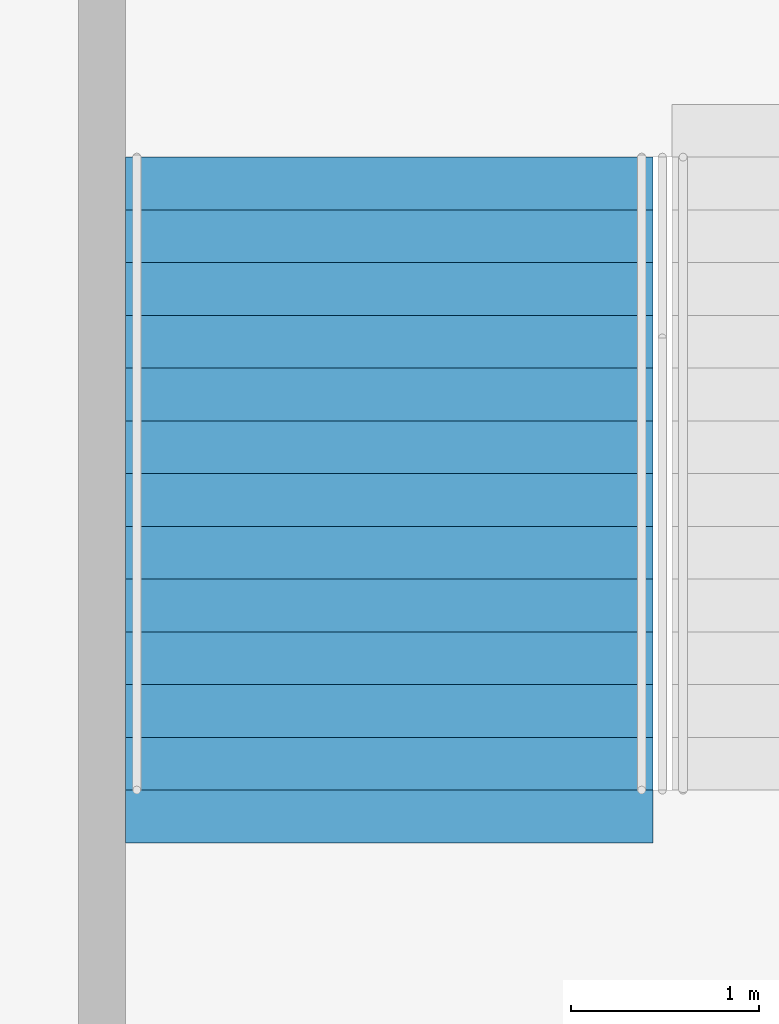
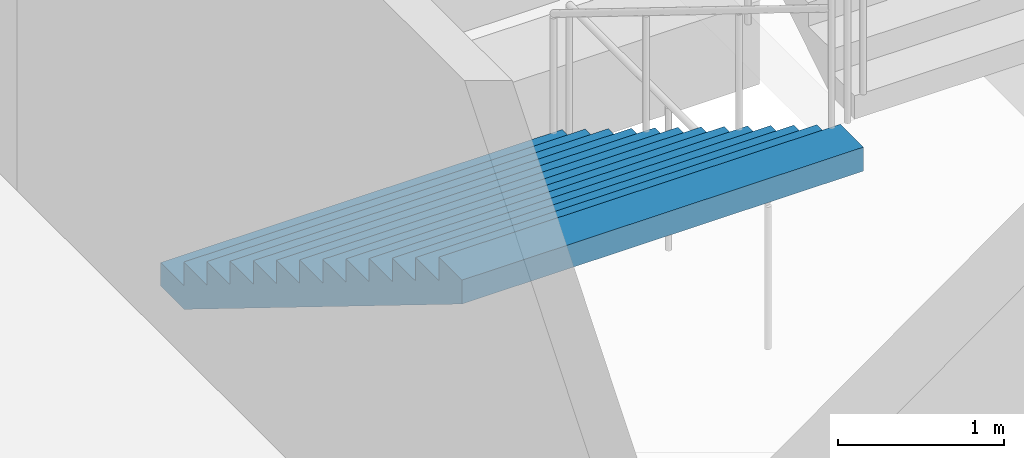
# One storey, part 68 of 175: 1 stair flight, 1 element without a shape of its own.
"""IFC4 building model written with IfcOpenShell, lengths in metres."""

from ifc_helpers import new_model, si_unit, direction, frame, origin, place, context, subcontext, project, spatial, faceted_brep, material, type_object, element, aggregate, save


model = new_model("IFC4")

# Units and contexts
model_context = context("Model", 3, precision=1e-05, world=origin(), true_north=direction((0.0, 1.0)))
body_context = subcontext(model_context, "Body", "Model", "MODEL_VIEW")
ifc_project = project(units=[si_unit("LENGTHUNIT", "METRE"), si_unit("AREAUNIT", "SQUARE_METRE"), si_unit("VOLUMEUNIT", "CUBIC_METRE"), si_unit("PLANEANGLEUNIT", "RADIAN"), si_unit("MASSUNIT", "GRAM", prefix="KILO")], contexts=[model_context])

# Site, building, storey
site_placement = place(None, origin())
site = spatial("IfcSite", under=ifc_project, at=site_placement, CompositionType="ELEMENT")
building_placement = place(site_placement, origin())
building = spatial("IfcBuilding", under=site, at=building_placement, Name="Ogive Plaza Stadium", CompositionType="ELEMENT")
storey_placement = place(building_placement, origin())
storey = spatial("IfcBuildingStorey", under=building, at=storey_placement, Name="L00", CompositionType="ELEMENT", Elevation=0.0)

# Stair, stair flight
ifc_material_1 = material(Name="Concrete C40/50", Category="concrete")
stair_type = type_object("IfcStairType", Name="Exit stair", PredefinedType="STRAIGHT_RUN_STAIR", material=ifc_material_1)
stair_placement = place(storey_placement, origin())
stair = element("IfcStair", 1, at=stair_placement, inside=storey, type_object=stair_type, Name="Exit stair ST12A L00 to L01", PredefinedType="STRAIGHT_RUN_STAIR")
ifc_material_2 = material(Name="Concrete C40/50", Category="concrete")
stair_flight_type = type_object("IfcStairFlightType", Name="Exit stair flight", PredefinedType="STRAIGHT", material=ifc_material_2)
stair_flight_placement = place(storey_placement, frame((29.574951171875, -94.85009765625, 0.0), z_axis=(0.0, 0.0, 1.0), x_axis=(0.0, -1.0, 0.0)))
stair_flight = element("IfcStairFlight", 2, at=stair_flight_placement, type_object=stair_flight_type, Name="ST12A flight 1", NumberOfRisers=13, NumberOfTreads=12, PredefinedType="STRAIGHT", RiserHeight=0.173076923, TreadLength=0.28, context=body_context, shape_type="Brep", body=[
    faceted_brep([(0.28515625, -1.39990234375, 0.0), (3.639892578125, -1.39990234375, 2.07373046875), (3.639892578125, -1.39990234375, 2.25), (3.360107421875, -1.39990234375, 2.25), (3.360107421875, -1.39990234375, 2.076904296875), (3.080078125, -1.39990234375, 2.076904296875), (3.080078125, -1.39990234375, 1.90380859375), (2.800048828125, -1.39990234375, 1.90380859375), (2.800048828125, -1.39990234375, 1.730712890625), (2.52001953125, -1.39990234375, 1.730712890625), (2.52001953125, -1.39990234375, 1.5576171875), (2.239990234375, -1.39990234375, 1.5576171875), (2.239990234375, -1.39990234375, 1.384521484375), (1.9599609375, -1.39990234375, 1.384521484375), (1.9599609375, -1.39990234375, 1.21142578125), (1.679931640625, -1.39990234375, 1.21142578125), (1.679931640625, -1.39990234375, 1.03857421875), (1.39990234375, -1.39990234375, 1.03857421875), (1.39990234375, -1.39990234375, 0.865478515625), (1.1201171875, -1.39990234375, 0.865478515625), (1.1201171875, -1.39990234375, 0.6923828125), (0.840087890625, -1.39990234375, 0.6923828125), (0.840087890625, -1.39990234375, 0.519287109375), (0.56005859375, -1.39990234375, 0.519287109375), (0.56005859375, -1.39990234375, 0.34619140625), (0.280029296875, -1.39990234375, 0.34619140625), (0.280029296875, -1.39990234375, 0.173095703125), (0.0, -1.39990234375, 0.173095703125), (0.0, -1.39990234375, 0.0), (0.0, 1.39990234375, 0.0), (0.0, 1.39990234375, 0.173095703125), (0.280029296875, 1.39990234375, 0.173095703125), (0.280029296875, 1.39990234375, 0.34619140625), (0.56005859375, 1.39990234375, 0.34619140625), (0.56005859375, 1.39990234375, 0.519287109375), (0.840087890625, 1.39990234375, 0.519287109375), (0.840087890625, 1.39990234375, 0.6923828125), (1.1201171875, 1.39990234375, 0.6923828125), (1.1201171875, 1.39990234375, 0.865478515625), (1.39990234375, 1.39990234375, 0.865478515625), (1.39990234375, 1.39990234375, 1.03857421875), (1.679931640625, 1.39990234375, 1.03857421875), (1.679931640625, 1.39990234375, 1.21142578125), (1.9599609375, 1.39990234375, 1.21142578125), (1.9599609375, 1.39990234375, 1.384521484375), (2.239990234375, 1.39990234375, 1.384521484375), (2.239990234375, 1.39990234375, 1.5576171875), (2.52001953125, 1.39990234375, 1.5576171875), (2.52001953125, 1.39990234375, 1.730712890625), (2.800048828125, 1.39990234375, 1.730712890625), (2.800048828125, 1.39990234375, 1.90380859375), (3.080078125, 1.39990234375, 1.90380859375), (3.080078125, 1.39990234375, 2.076904296875), (3.360107421875, 1.39990234375, 2.076904296875), (3.360107421875, 1.39990234375, 2.25), (3.639892578125, 1.39990234375, 2.25), (3.639892578125, 1.39990234375, 2.07373046875), (0.28515625, 1.39990234375, 0.0), (0.28515625, -1.0888671875, 0.0), (3.639892578125, -1.0888671875, 2.07373046875), (0.28515625, -0.77783203125, 0.0), (3.639892578125, -0.77783203125, 2.07373046875), (0.28515625, -0.466796875, 0.0), (3.639892578125, -0.466796875, 2.07373046875), (0.28515625, -0.155517578125, 0.0), (3.639892578125, -0.155517578125, 2.07373046875), (0.28515625, 0.155517578125, 0.0), (3.639892578125, 0.155517578125, 2.07373046875), (0.28515625, 0.466796875, 0.0), (3.639892578125, 0.466796875, 2.07373046875), (0.28515625, 0.77783203125, 0.0), (3.639892578125, 0.77783203125, 2.07373046875), (0.28515625, 1.0888671875, 0.0), (3.639892578125, 1.0888671875, 2.07373046875), (3.639892578125, -1.0888671875, 2.25), (3.639892578125, -0.77783203125, 2.25), (3.639892578125, -0.466796875, 2.25), (3.639892578125, -0.155517578125, 2.25), (3.639892578125, 0.155517578125, 2.25), (3.639892578125, 0.466796875, 2.25), (3.639892578125, 0.77783203125, 2.25), (3.639892578125, 1.0888671875, 2.25), (3.360107421875, -1.0888671875, 2.25), (3.360107421875, -0.77783203125, 2.25), (3.360107421875, -0.466796875, 2.25), (3.360107421875, -0.155517578125, 2.25), (3.360107421875, 0.155517578125, 2.25), (3.360107421875, 0.466796875, 2.25), (3.360107421875, 0.77783203125, 2.25), (3.360107421875, 1.0888671875, 2.25), (3.360107421875, -1.0888671875, 2.076904296875), (3.360107421875, -0.77783203125, 2.076904296875), (3.360107421875, -0.466796875, 2.076904296875), (3.360107421875, -0.155517578125, 2.076904296875), (3.360107421875, 0.155517578125, 2.076904296875), (3.360107421875, 0.466796875, 2.076904296875), (3.360107421875, 0.77783203125, 2.076904296875), (3.360107421875, 1.0888671875, 2.076904296875), (3.080078125, -1.0888671875, 2.076904296875), (3.080078125, -0.77783203125, 2.076904296875), (3.080078125, -0.466796875, 2.076904296875), (3.080078125, -0.155517578125, 2.076904296875), (3.080078125, 0.155517578125, 2.076904296875), (3.080078125, 0.466796875, 2.076904296875), (3.080078125, 0.77783203125, 2.076904296875), (3.080078125, 1.0888671875, 2.076904296875), (3.080078125, -1.0888671875, 1.90380859375), (3.080078125, -0.77783203125, 1.90380859375), (3.080078125, -0.466796875, 1.90380859375), (3.080078125, -0.155517578125, 1.90380859375), (3.080078125, 0.155517578125, 1.90380859375), (3.080078125, 0.466796875, 1.90380859375), (3.080078125, 0.77783203125, 1.90380859375), (3.080078125, 1.0888671875, 1.90380859375), (2.800048828125, -1.0888671875, 1.90380859375), (2.800048828125, -0.77783203125, 1.90380859375), (2.800048828125, -0.466796875, 1.90380859375), (2.800048828125, -0.155517578125, 1.90380859375), (2.800048828125, 0.155517578125, 1.90380859375), (2.800048828125, 0.466796875, 1.90380859375), (2.800048828125, 0.77783203125, 1.90380859375), (2.800048828125, 1.0888671875, 1.90380859375), (2.800048828125, -1.0888671875, 1.730712890625), (2.800048828125, -0.77783203125, 1.730712890625), (2.800048828125, -0.466796875, 1.730712890625), (2.800048828125, -0.155517578125, 1.730712890625), (2.800048828125, 0.155517578125, 1.730712890625), (2.800048828125, 0.466796875, 1.730712890625), (2.800048828125, 0.77783203125, 1.730712890625), (2.800048828125, 1.0888671875, 1.730712890625), (2.52001953125, -1.0888671875, 1.730712890625), (2.52001953125, -0.77783203125, 1.730712890625), (2.52001953125, -0.466796875, 1.730712890625), (2.52001953125, -0.155517578125, 1.730712890625), (2.52001953125, 0.155517578125, 1.730712890625), (2.52001953125, 0.466796875, 1.730712890625), (2.52001953125, 0.77783203125, 1.730712890625), (2.52001953125, 1.0888671875, 1.730712890625), (2.52001953125, -1.0888671875, 1.5576171875), (2.52001953125, -0.77783203125, 1.5576171875), (2.52001953125, -0.466796875, 1.5576171875), (2.52001953125, -0.155517578125, 1.5576171875), (2.52001953125, 0.155517578125, 1.5576171875), (2.52001953125, 0.466796875, 1.5576171875), (2.52001953125, 0.77783203125, 1.5576171875), (2.52001953125, 1.0888671875, 1.5576171875), (2.239990234375, -1.0888671875, 1.5576171875), (2.239990234375, -0.77783203125, 1.5576171875), (2.239990234375, -0.466796875, 1.5576171875), (2.239990234375, -0.155517578125, 1.5576171875), (2.239990234375, 0.155517578125, 1.5576171875), (2.239990234375, 0.466796875, 1.5576171875), (2.239990234375, 0.77783203125, 1.5576171875), (2.239990234375, 1.0888671875, 1.5576171875), (2.239990234375, -1.0888671875, 1.384521484375), (2.239990234375, -0.77783203125, 1.384521484375), (2.239990234375, -0.466796875, 1.384521484375), (2.239990234375, -0.155517578125, 1.384521484375), (2.239990234375, 0.155517578125, 1.384521484375), (2.239990234375, 0.466796875, 1.384521484375), (2.239990234375, 0.77783203125, 1.384521484375), (2.239990234375, 1.0888671875, 1.384521484375), (1.9599609375, -1.0888671875, 1.384521484375), (1.9599609375, -0.77783203125, 1.384521484375), (1.9599609375, -0.466796875, 1.384521484375), (1.9599609375, -0.155517578125, 1.384521484375), (1.9599609375, 0.155517578125, 1.384521484375), (1.9599609375, 0.466796875, 1.384521484375), (1.9599609375, 0.77783203125, 1.384521484375), (1.9599609375, 1.0888671875, 1.384521484375), (1.9599609375, -1.0888671875, 1.21142578125), (1.9599609375, -0.77783203125, 1.21142578125), (1.9599609375, -0.466796875, 1.21142578125), (1.9599609375, -0.155517578125, 1.21142578125), (1.9599609375, 0.155517578125, 1.21142578125), (1.9599609375, 0.466796875, 1.21142578125), (1.9599609375, 0.77783203125, 1.21142578125), (1.9599609375, 1.0888671875, 1.21142578125), (1.679931640625, -1.0888671875, 1.21142578125), (1.679931640625, -0.77783203125, 1.21142578125), (1.679931640625, -0.466796875, 1.21142578125), (1.679931640625, -0.155517578125, 1.21142578125), (1.679931640625, 0.155517578125, 1.21142578125), (1.679931640625, 0.466796875, 1.21142578125), (1.679931640625, 0.77783203125, 1.21142578125), (1.679931640625, 1.0888671875, 1.21142578125), (1.679931640625, -1.0888671875, 1.03857421875), (1.679931640625, -0.77783203125, 1.03857421875), (1.679931640625, -0.466796875, 1.03857421875), (1.679931640625, -0.155517578125, 1.03857421875), (1.679931640625, 0.155517578125, 1.03857421875), (1.679931640625, 0.466796875, 1.03857421875), (1.679931640625, 0.77783203125, 1.03857421875), (1.679931640625, 1.0888671875, 1.03857421875), (1.39990234375, -1.0888671875, 1.03857421875), (1.39990234375, -0.77783203125, 1.03857421875), (1.39990234375, -0.466796875, 1.03857421875), (1.39990234375, -0.155517578125, 1.03857421875), (1.39990234375, 0.155517578125, 1.03857421875), (1.39990234375, 0.466796875, 1.03857421875), (1.39990234375, 0.77783203125, 1.03857421875), (1.39990234375, 1.0888671875, 1.03857421875), (1.39990234375, -1.0888671875, 0.865478515625), (1.39990234375, -0.77783203125, 0.865478515625), (1.39990234375, -0.466796875, 0.865478515625), (1.39990234375, -0.155517578125, 0.865478515625), (1.39990234375, 0.155517578125, 0.865478515625), (1.39990234375, 0.466796875, 0.865478515625), (1.39990234375, 0.77783203125, 0.865478515625), (1.39990234375, 1.0888671875, 0.865478515625), (1.1201171875, -1.0888671875, 0.865478515625), (1.1201171875, -0.77783203125, 0.865478515625), (1.1201171875, -0.466796875, 0.865478515625), (1.1201171875, -0.155517578125, 0.865478515625), (1.1201171875, 0.155517578125, 0.865478515625), (1.1201171875, 0.466796875, 0.865478515625), (1.1201171875, 0.77783203125, 0.865478515625), (1.1201171875, 1.0888671875, 0.865478515625), (1.1201171875, -1.0888671875, 0.6923828125), (1.1201171875, -0.77783203125, 0.6923828125), (1.1201171875, -0.466796875, 0.6923828125), (1.1201171875, -0.155517578125, 0.6923828125), (1.1201171875, 0.155517578125, 0.6923828125), (1.1201171875, 0.466796875, 0.6923828125), (1.1201171875, 0.77783203125, 0.6923828125), (1.1201171875, 1.0888671875, 0.6923828125), (0.840087890625, -1.0888671875, 0.6923828125), (0.840087890625, -0.77783203125, 0.6923828125), (0.840087890625, -0.466796875, 0.6923828125), (0.840087890625, -0.155517578125, 0.6923828125), (0.840087890625, 0.155517578125, 0.6923828125), (0.840087890625, 0.466796875, 0.6923828125), (0.840087890625, 0.77783203125, 0.6923828125), (0.840087890625, 1.0888671875, 0.6923828125), (0.840087890625, -1.0888671875, 0.519287109375), (0.840087890625, -0.77783203125, 0.519287109375), (0.840087890625, -0.466796875, 0.519287109375), (0.840087890625, -0.155517578125, 0.519287109375), (0.840087890625, 0.155517578125, 0.519287109375), (0.840087890625, 0.466796875, 0.519287109375), (0.840087890625, 0.77783203125, 0.519287109375), (0.840087890625, 1.0888671875, 0.519287109375), (0.56005859375, -1.0888671875, 0.519287109375), (0.56005859375, -0.77783203125, 0.519287109375), (0.56005859375, -0.466796875, 0.519287109375), (0.56005859375, -0.155517578125, 0.519287109375), (0.56005859375, 0.155517578125, 0.519287109375), (0.56005859375, 0.466796875, 0.519287109375), (0.56005859375, 0.77783203125, 0.519287109375), (0.56005859375, 1.0888671875, 0.519287109375), (0.56005859375, -1.0888671875, 0.34619140625), (0.56005859375, -0.77783203125, 0.34619140625), (0.56005859375, -0.466796875, 0.34619140625), (0.56005859375, -0.155517578125, 0.34619140625), (0.56005859375, 0.155517578125, 0.34619140625), (0.56005859375, 0.466796875, 0.34619140625), (0.56005859375, 0.77783203125, 0.34619140625), (0.56005859375, 1.0888671875, 0.34619140625), (0.280029296875, -1.0888671875, 0.34619140625), (0.280029296875, -0.77783203125, 0.34619140625), (0.280029296875, -0.466796875, 0.34619140625), (0.280029296875, -0.155517578125, 0.34619140625), (0.280029296875, 0.155517578125, 0.34619140625), (0.280029296875, 0.466796875, 0.34619140625), (0.280029296875, 0.77783203125, 0.34619140625), (0.280029296875, 1.0888671875, 0.34619140625), (0.280029296875, -1.0888671875, 0.173095703125), (0.280029296875, -0.77783203125, 0.173095703125), (0.280029296875, -0.466796875, 0.173095703125), (0.280029296875, -0.155517578125, 0.173095703125), (0.280029296875, 0.155517578125, 0.173095703125), (0.280029296875, 0.466796875, 0.173095703125), (0.280029296875, 0.77783203125, 0.173095703125), (0.280029296875, 1.0888671875, 0.173095703125), (0.0, -1.0888671875, 0.173095703125), (0.0, -0.77783203125, 0.173095703125), (0.0, -0.466796875, 0.173095703125), (0.0, -0.155517578125, 0.173095703125), (0.0, 0.155517578125, 0.173095703125), (0.0, 0.466796875, 0.173095703125), (0.0, 0.77783203125, 0.173095703125), (0.0, 1.0888671875, 0.173095703125), (0.0, -1.0888671875, 0.0), (0.0, -0.77783203125, 0.0), (0.0, -0.466796875, 0.0), (0.0, -0.155517578125, 0.0), (0.0, 0.155517578125, 0.0), (0.0, 0.466796875, 0.0), (0.0, 0.77783203125, 0.0), (0.0, 1.0888671875, 0.0)], [[[0, 1, 2, 3, 4, 5, 6, 7, 8, 9, 10, 11, 12, 13, 14, 15, 16, 17, 18, 19, 20, 21, 22, 23, 24, 25, 26, 27, 28]], [[29, 30, 31, 32, 33, 34, 35, 36, 37, 38, 39, 40, 41, 42, 43, 44, 45, 46, 47, 48, 49, 50, 51, 52, 53, 54, 55, 56, 57]], [[0, 58, 59, 1]], [[58, 60, 61, 59]], [[60, 62, 63, 61]], [[62, 64, 65, 63]], [[64, 66, 67, 65]], [[66, 68, 69, 67]], [[68, 70, 71, 69]], [[70, 72, 73, 71]], [[72, 57, 56, 73]], [[1, 59, 74, 2]], [[59, 61, 75, 74]], [[61, 63, 76, 75]], [[63, 65, 77, 76]], [[65, 67, 78, 77]], [[67, 69, 79, 78]], [[69, 71, 80, 79]], [[71, 73, 81, 80]], [[73, 56, 55, 81]], [[2, 74, 82, 3]], [[74, 75, 83, 82]], [[75, 76, 84, 83]], [[76, 77, 85, 84]], [[77, 78, 86, 85]], [[78, 79, 87, 86]], [[79, 80, 88, 87]], [[80, 81, 89, 88]], [[81, 55, 54, 89]], [[3, 82, 90, 4]], [[82, 83, 91, 90]], [[83, 84, 92, 91]], [[84, 85, 93, 92]], [[85, 86, 94, 93]], [[86, 87, 95, 94]], [[87, 88, 96, 95]], [[88, 89, 97, 96]], [[89, 54, 53, 97]], [[4, 90, 98, 5]], [[90, 91, 99, 98]], [[91, 92, 100, 99]], [[92, 93, 101, 100]], [[93, 94, 102, 101]], [[94, 95, 103, 102]], [[95, 96, 104, 103]], [[96, 97, 105, 104]], [[97, 53, 52, 105]], [[5, 98, 106, 6]], [[98, 99, 107, 106]], [[99, 100, 108, 107]], [[100, 101, 109, 108]], [[101, 102, 110, 109]], [[102, 103, 111, 110]], [[103, 104, 112, 111]], [[104, 105, 113, 112]], [[105, 52, 51, 113]], [[6, 106, 114, 7]], [[106, 107, 115, 114]], [[107, 108, 116, 115]], [[108, 109, 117, 116]], [[109, 110, 118, 117]], [[110, 111, 119, 118]], [[111, 112, 120, 119]], [[112, 113, 121, 120]], [[113, 51, 50, 121]], [[7, 114, 122, 8]], [[114, 115, 123, 122]], [[115, 116, 124, 123]], [[116, 117, 125, 124]], [[117, 118, 126, 125]], [[118, 119, 127, 126]], [[119, 120, 128, 127]], [[120, 121, 129, 128]], [[121, 50, 49, 129]], [[8, 122, 130, 9]], [[122, 123, 131, 130]], [[123, 124, 132, 131]], [[124, 125, 133, 132]], [[125, 126, 134, 133]], [[126, 127, 135, 134]], [[127, 128, 136, 135]], [[128, 129, 137, 136]], [[129, 49, 48, 137]], [[9, 130, 138, 10]], [[130, 131, 139, 138]], [[131, 132, 140, 139]], [[132, 133, 141, 140]], [[133, 134, 142, 141]], [[134, 135, 143, 142]], [[135, 136, 144, 143]], [[136, 137, 145, 144]], [[137, 48, 47, 145]], [[10, 138, 146, 11]], [[138, 139, 147, 146]], [[139, 140, 148, 147]], [[140, 141, 149, 148]], [[141, 142, 150, 149]], [[142, 143, 151, 150]], [[143, 144, 152, 151]], [[144, 145, 153, 152]], [[145, 47, 46, 153]], [[11, 146, 154, 12]], [[146, 147, 155, 154]], [[147, 148, 156, 155]], [[148, 149, 157, 156]], [[149, 150, 158, 157]], [[150, 151, 159, 158]], [[151, 152, 160, 159]], [[152, 153, 161, 160]], [[153, 46, 45, 161]], [[12, 154, 162, 13]], [[154, 155, 163, 162]], [[155, 156, 164, 163]], [[156, 157, 165, 164]], [[157, 158, 166, 165]], [[158, 159, 167, 166]], [[159, 160, 168, 167]], [[160, 161, 169, 168]], [[161, 45, 44, 169]], [[13, 162, 170, 14]], [[162, 163, 171, 170]], [[163, 164, 172, 171]], [[164, 165, 173, 172]], [[165, 166, 174, 173]], [[166, 167, 175, 174]], [[167, 168, 176, 175]], [[168, 169, 177, 176]], [[169, 44, 43, 177]], [[14, 170, 178, 15]], [[170, 171, 179, 178]], [[171, 172, 180, 179]], [[172, 173, 181, 180]], [[173, 174, 182, 181]], [[174, 175, 183, 182]], [[175, 176, 184, 183]], [[176, 177, 185, 184]], [[177, 43, 42, 185]], [[15, 178, 186, 16]], [[178, 179, 187, 186]], [[179, 180, 188, 187]], [[180, 181, 189, 188]], [[181, 182, 190, 189]], [[182, 183, 191, 190]], [[183, 184, 192, 191]], [[184, 185, 193, 192]], [[185, 42, 41, 193]], [[16, 186, 194, 17]], [[186, 187, 195, 194]], [[187, 188, 196, 195]], [[188, 189, 197, 196]], [[189, 190, 198, 197]], [[190, 191, 199, 198]], [[191, 192, 200, 199]], [[192, 193, 201, 200]], [[193, 41, 40, 201]], [[17, 194, 202, 18]], [[194, 195, 203, 202]], [[195, 196, 204, 203]], [[196, 197, 205, 204]], [[197, 198, 206, 205]], [[198, 199, 207, 206]], [[199, 200, 208, 207]], [[200, 201, 209, 208]], [[201, 40, 39, 209]], [[18, 202, 210, 19]], [[202, 203, 211, 210]], [[203, 204, 212, 211]], [[204, 205, 213, 212]], [[205, 206, 214, 213]], [[206, 207, 215, 214]], [[207, 208, 216, 215]], [[208, 209, 217, 216]], [[209, 39, 38, 217]], [[19, 210, 218, 20]], [[210, 211, 219, 218]], [[211, 212, 220, 219]], [[212, 213, 221, 220]], [[213, 214, 222, 221]], [[214, 215, 223, 222]], [[215, 216, 224, 223]], [[216, 217, 225, 224]], [[217, 38, 37, 225]], [[20, 218, 226, 21]], [[218, 219, 227, 226]], [[219, 220, 228, 227]], [[220, 221, 229, 228]], [[221, 222, 230, 229]], [[222, 223, 231, 230]], [[223, 224, 232, 231]], [[224, 225, 233, 232]], [[225, 37, 36, 233]], [[21, 226, 234, 22]], [[226, 227, 235, 234]], [[227, 228, 236, 235]], [[228, 229, 237, 236]], [[229, 230, 238, 237]], [[230, 231, 239, 238]], [[231, 232, 240, 239]], [[232, 233, 241, 240]], [[233, 36, 35, 241]], [[22, 234, 242, 23]], [[234, 235, 243, 242]], [[235, 236, 244, 243]], [[236, 237, 245, 244]], [[237, 238, 246, 245]], [[238, 239, 247, 246]], [[239, 240, 248, 247]], [[240, 241, 249, 248]], [[241, 35, 34, 249]], [[23, 242, 250, 24]], [[242, 243, 251, 250]], [[243, 244, 252, 251]], [[244, 245, 253, 252]], [[245, 246, 254, 253]], [[246, 247, 255, 254]], [[247, 248, 256, 255]], [[248, 249, 257, 256]], [[249, 34, 33, 257]], [[24, 250, 258, 25]], [[250, 251, 259, 258]], [[251, 252, 260, 259]], [[252, 253, 261, 260]], [[253, 254, 262, 261]], [[254, 255, 263, 262]], [[255, 256, 264, 263]], [[256, 257, 265, 264]], [[257, 33, 32, 265]], [[25, 258, 266, 26]], [[258, 259, 267, 266]], [[259, 260, 268, 267]], [[260, 261, 269, 268]], [[261, 262, 270, 269]], [[262, 263, 271, 270]], [[263, 264, 272, 271]], [[264, 265, 273, 272]], [[265, 32, 31, 273]], [[26, 266, 274, 27]], [[266, 267, 275, 274]], [[267, 268, 276, 275]], [[268, 269, 277, 276]], [[269, 270, 278, 277]], [[270, 271, 279, 278]], [[271, 272, 280, 279]], [[272, 273, 281, 280]], [[273, 31, 30, 281]], [[27, 274, 282, 28]], [[274, 275, 283, 282]], [[275, 276, 284, 283]], [[276, 277, 285, 284]], [[277, 278, 286, 285]], [[278, 279, 287, 286]], [[279, 280, 288, 287]], [[280, 281, 289, 288]], [[281, 30, 29, 289]], [[28, 282, 58, 0]], [[282, 283, 60, 58]], [[283, 284, 62, 60]], [[284, 285, 64, 62]], [[285, 286, 66, 64]], [[286, 287, 68, 66]], [[287, 288, 70, 68]], [[288, 289, 72, 70]], [[289, 29, 57, 72]]]),
])
aggregate(stair, [stair_flight])

save(model, "model.ifc")
